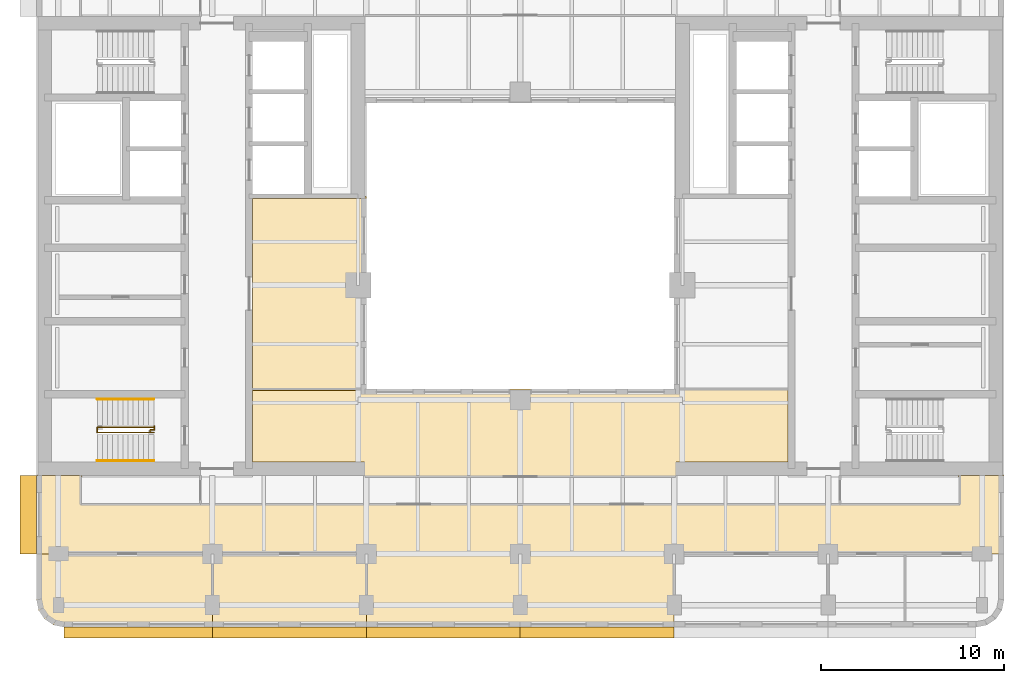
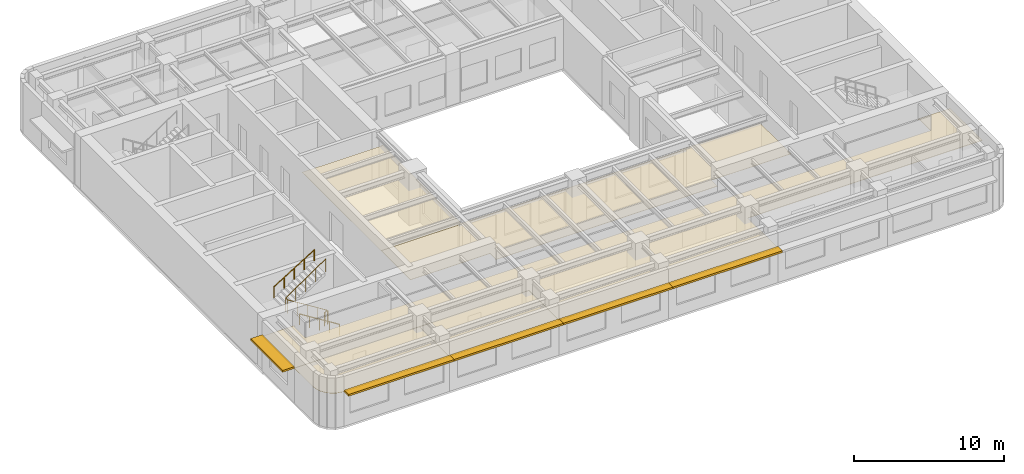
# One storey, part 9 of 11: 5 coverings, 5 shading devices, 4 railings.
"""IFC4 building model written with IfcOpenShell, lengths in metres."""

from ifc_helpers import new_model, si_unit, direction, frame, origin, origin_2d, place, context, subcontext, project, spatial, polyline, rectangle, circle, outline, extrude, material, layer, layer_set, type_object, element, save


model = new_model("IFC4")

# Units and contexts
model_context = context("Model", 3, precision=1e-05, world=origin(), true_north=direction((0.0, 1.0)))
body_context = subcontext(model_context, "Body", "Model", "MODEL_VIEW")
ifc_project = project(units=[si_unit("LENGTHUNIT", "METRE"), si_unit("AREAUNIT", "SQUARE_METRE"), si_unit("VOLUMEUNIT", "CUBIC_METRE"), si_unit("PLANEANGLEUNIT", "RADIAN"), si_unit("MASSUNIT", "GRAM", prefix="KILO")], contexts=[model_context])

# Site, building, storey
site_placement = place(None, origin())
site = spatial("IfcSite", under=ifc_project, at=site_placement, CompositionType="ELEMENT")
building_placement = place(site_placement, origin())
building = spatial("IfcBuilding", under=site, at=building_placement, Name="Claustro Exchange Tower", CompositionType="ELEMENT")
storey_placement = place(building_placement, frame((0.0, 0.0, 181.800048828125)))
storey = spatial("IfcBuildingStorey", under=building, at=storey_placement, Name="L41", CompositionType="ELEMENT", Elevation=181.800048828125)

# Coverings
ifc_material_1 = material(Name="Perforated metal ceiling tiles", Category="steel")
ifc_layer_1 = layer(ifc_material_1, 0.030029296875)
ifc_layer_set_1 = layer_set([ifc_layer_1], Name="Perforated metal ceiling tiles")
covering_type_1 = type_object("IfcCoveringType", Name="CL1 suspended metal ceiling", PredefinedType="CEILING", material=ifc_layer_set_1)
covering_1_placement = place(storey_placement, frame((0.0, 0.0, 2.800048828125)))
element("IfcCovering", 1, at=covering_1_placement, inside=storey, type_object=covering_type_1, Name="Ceiling CL1 L41-06", PredefinedType="CEILING", context=body_context, shape_type="SweptSolid", body=[
    extrude(outline(polyline([(1.199951171875, 11.10009765625), (1.199951171875, 12.60009765625), (1.294921875, 12.60009765625), (1.294921875, 12.675048828125), (-1.125, 12.675048828125), (-1.125, 12.695068359375), (-1.199951171875, 12.695068359375), (-1.199951171875, 8.39990234375), (16.800048828125, 8.39990234375), (16.800048828125, 4.39990234375), (33.60009765625, 4.39990234375), (33.60009765625, 8.39990234375), (51.60009765625, 8.39990234375), (51.60009765625, 12.695068359375), (51.52490234375, 12.695068359375), (51.52490234375, 12.675048828125), (49.10498046875, 12.675048828125), (49.10498046875, 12.60009765625), (49.199951171875, 12.60009765625), (49.199951171875, 11.10009765625), (1.199951171875, 11.10009765625)])), origin(), (0.0, 0.0, 1.0), 0.02978515625),
])
ifc_material_2 = material(Name="Gypsum board ceiling", Category="gypsum board")
ifc_layer_2 = layer(ifc_material_2, 0.02490234375)
ifc_layer_set_2 = layer_set([ifc_layer_2], Name="Gypsum board ceiling")
covering_type_2 = type_object("IfcCoveringType", Name="CL2 plasterboard ceiling", PredefinedType="CEILING", material=ifc_layer_set_2)
covering_2_placement = place(storey_placement, frame((0.0, 0.0, 2.800048828125)))
element("IfcCovering", 2, at=covering_2_placement, inside=storey, type_object=covering_type_2, Name="Ceiling CL2 L41-01", PredefinedType="CEILING", context=body_context, shape_type="SweptSolid", body=[
    extrude(outline(polyline([(-1.085693359375, 5.325927734375), (-0.7607421875, 4.83935546875), (-0.27392578125, 4.51416015625), (0.300048828125, 4.39990234375), (8.39990234375, 4.39990234375), (8.39990234375, 8.39990234375), (-1.199951171875, 8.39990234375), (-1.199951171875, 5.89990234375), (-1.085693359375, 5.325927734375)])), origin(), (0.0, 0.0, 1.0), 0.02490234375),
])
covering_3_placement = place(storey_placement, frame((0.0, 0.0, 2.800048828125)))
element("IfcCovering", 3, at=covering_3_placement, inside=storey, type_object=covering_type_2, Name="Ceiling CL2 L41-02", PredefinedType="CEILING", context=body_context, shape_type="SweptSolid", body=[
    extrude(outline(polyline([(8.39990234375, 4.39990234375), (16.800048828125, 4.39990234375), (16.800048828125, 8.39990234375), (8.39990234375, 8.39990234375), (8.39990234375, 4.39990234375)])), origin(), (0.0, 0.0, 1.0), 0.02490234375),
])
covering_4_placement = place(storey_placement, frame((0.0, 0.0, 2.800048828125)))
element("IfcCovering", 4, at=covering_4_placement, inside=storey, type_object=covering_type_2, Name="Ceiling CL2 L41-10", PredefinedType="CEILING", context=body_context, shape_type="SweptSolid", body=[
    extrude(outline(polyline([(33.60009765625, 17.39990234375), (16.800048828125, 17.39990234375), (16.800048828125, 17.4951171875), (10.60009765625, 17.4951171875), (10.60009765625, 13.405029296875), (16.705078125, 13.405029296875), (16.705078125, 12.60009765625), (33.695068359375, 12.60009765625), (33.695068359375, 13.405029296875), (39.800048828125, 13.405029296875), (39.800048828125, 17.4951171875), (33.60009765625, 17.4951171875), (33.60009765625, 17.39990234375)])), origin(), (0.0, 0.0, 1.0), 0.02490234375),
])
covering_5_placement = place(storey_placement, frame((0.0, 0.0, 2.800048828125)))
element("IfcCovering", 5, at=covering_5_placement, inside=storey, type_object=covering_type_2, Name="Ceiling CL2 L41-11", PredefinedType="CEILING", context=body_context, shape_type="SweptSolid", body=[
    extrude(outline(polyline([(10.60009765625, 27.800048828125), (10.60009765625, 17.304931640625), (16.800048828125, 17.304931640625), (16.800048828125, 27.89501953125), (16.72509765625, 27.89501953125), (16.72509765625, 27.800048828125), (10.60009765625, 27.800048828125)])), origin(), (0.0, 0.0, 1.0), 0.02490234375),
])

# Railings
ifc_material_3 = material(Name="Steel balustrade, painted", Category="steel")
railing_type_1 = type_object("IfcRailingType", Name="GR2 1100 steel stair guard", PredefinedType="GUARDRAIL", material=ifc_material_3)
railing_1_placement = place(storey_placement, frame((5.199951171875, 15.02490234375, 0.175048828125)))
element("IfcRailing", 6, at=railing_1_placement, inside=storey, type_object=railing_type_1, Name="Stair well guard GR2 stair STWA L41", PredefinedType="GUARDRAIL", context=body_context, shape_type="SweptSolid", body=[
    extrude(circle(Radius=0.02392578125, at=origin_2d()), frame((0.0, 0.0, 1.076171875), z_axis=(-0.848009633417, 0.0, 0.529980812513), x_axis=(0.0, -1.0, 0.0)), (0.0, 0.0, 1.0), 3.6318359375),
    extrude(circle(Radius=0.02392578125, at=origin_2d()), frame((-3.079833984375, 0.0, 3.0009765625), z_axis=(0.0, 1.0, 0.0), x_axis=(-1.0, 0.0, 0.0)), (0.0, 0.0, 1.0), 0.275146484375),
    extrude(circle(Radius=0.02392578125, at=origin_2d()), frame((-3.079833984375, 0.275146484375, 3.0009765625), z_axis=(0.826201015165, 0.0, 0.563375436579), x_axis=(0.0, 1.0, 0.0)), (0.0, 0.0, 1.0), 3.727783203125),
    extrude(circle(Radius=0.02099609375, at=origin_2d()), origin(), (0.0, 0.0, 1.0), 1.052001953125),
    extrude(circle(Radius=0.02099609375, at=origin_2d()), frame((-0.77001953125, 0.0, 0.481201171875)), (0.0, 0.0, 1.0), 1.052001953125),
    extrude(circle(Radius=0.02099609375, at=origin_2d()), frame((-1.5400390625, 0.0, 0.96240234375)), (0.0, 0.0, 1.0), 1.052001953125),
    extrude(circle(Radius=0.02099609375, at=origin_2d()), frame((-2.309814453125, 0.0, 1.443603515625)), (0.0, 0.0, 1.0), 1.052001953125),
    extrude(circle(Radius=0.02099609375, at=origin_2d()), frame((-3.079833984375, 0.0, 1.9248046875)), (0.0, 0.0, 1.0), 1.052001953125),
    extrude(circle(Radius=0.02099609375, at=origin_2d()), frame((-3.079833984375, 0.275146484375, 1.9248046875)), (0.0, 0.0, 1.0), 1.052001953125),
    extrude(circle(Radius=0.02099609375, at=origin_2d()), frame((-2.309814453125, 0.275146484375, 2.44970703125)), (0.0, 0.0, 1.0), 1.052001953125),
    extrude(circle(Radius=0.02099609375, at=origin_2d()), frame((-1.5400390625, 0.275146484375, 2.974853515625)), (0.0, 0.0, 1.0), 1.052001953125),
    extrude(circle(Radius=0.02099609375, at=origin_2d()), frame((-0.77001953125, 0.275146484375, 3.5)), (0.0, 0.0, 1.0), 1.052001953125),
    extrude(circle(Radius=0.02099609375, at=origin_2d()), frame((0.0, 0.275146484375, 4.02490234375)), (0.0, 0.0, 1.0), 1.052001953125),
])
railing_2_placement = place(storey_placement, frame((5.0, 15.094970703125, 0.0)))
element("IfcRailing", 7, at=railing_2_placement, inside=storey, type_object=railing_type_1, Name="Stair guard GR2 STWA L41", PredefinedType="GUARDRAIL", context=body_context, shape_type="SweptSolid", body=[
    extrude(circle(Radius=0.02392578125, at=origin_2d()), frame((0.0, 0.0, 1.076171875), z_axis=(0.0, 1.0, 0.0), x_axis=(-1.0, 0.0, 0.0)), (0.0, 0.0, 1.0), 0.067626953125),
    extrude(circle(Radius=0.02392578125, at=origin_2d()), frame((0.0, 0.067626953125, 1.076171875), z_axis=(1.0, 0.0, 0.0), x_axis=(0.0, 1.0, 0.0)), (0.0, 0.0, 1.0), 0.22509765625),
    extrude(circle(Radius=0.02392578125, at=origin_2d()), frame((0.22509765625, 0.067626953125, 1.076171875), z_axis=(0.0, 1.0, 0.0), x_axis=(-1.0, 0.0, 0.0)), (0.0, 0.0, 1.0), 0.21728515625),
    extrude(circle(Radius=0.02099609375, at=origin_2d()), origin(), (0.0, 0.0, 1.0), 1.052001953125),
    extrude(circle(Radius=0.02099609375, at=origin_2d()), frame((0.0, 0.067626953125, 0.0)), (0.0, 0.0, 1.0), 1.052001953125),
    extrude(circle(Radius=0.02099609375, at=origin_2d()), frame((0.22509765625, 0.067626953125, 0.0)), (0.0, 0.0, 1.0), 1.052001953125),
    extrude(circle(Radius=0.02099609375, at=origin_2d()), frame((0.22509765625, 0.284912109375, 0.0)), (0.0, 0.0, 1.0), 1.052001953125),
])
ifc_material_4 = material(Name="Stainless steel tube", Category="steel")
railing_type_2 = type_object("IfcRailingType", Name="HR1 900 stair handrail", PredefinedType="HANDRAIL", material=ifc_material_4)
railing_3_placement = place(storey_placement, frame((5.199951171875, 13.485107421875, 0.175048828125)))
element("IfcRailing", 8, at=railing_3_placement, inside=storey, type_object=railing_type_2, Name="Handrail HR1 stair STWA L41", PredefinedType="HANDRAIL", context=body_context, shape_type="SweptSolid", body=[
    extrude(circle(Radius=0.02392578125, at=origin_2d()), frame((0.0, 0.0, 0.8759765625), z_axis=(-0.848009633417, 0.0, 0.529980812513), x_axis=(0.0, -1.0, 0.0)), (0.0, 0.0, 1.0), 3.6318359375),
    extrude(circle(Radius=0.02099609375, at=origin_2d()), origin(), (0.0, 0.0, 1.0), 0.851806640625),
    extrude(circle(Radius=0.02099609375, at=origin_2d()), frame((-0.77001953125, 0.0, 0.481201171875)), (0.0, 0.0, 1.0), 0.851806640625),
    extrude(circle(Radius=0.02099609375, at=origin_2d()), frame((-1.5400390625, 0.0, 0.96240234375)), (0.0, 0.0, 1.0), 0.851806640625),
    extrude(circle(Radius=0.02099609375, at=origin_2d()), frame((-2.309814453125, 0.0, 1.443603515625)), (0.0, 0.0, 1.0), 0.851806640625),
    extrude(circle(Radius=0.02099609375, at=origin_2d()), frame((-3.079833984375, 0.0, 1.9248046875)), (0.0, 0.0, 1.0), 0.851806640625),
])
railing_4_placement = place(storey_placement, frame((2.1201171875, 16.840087890625, 2.27490234375)))
element("IfcRailing", 9, at=railing_4_placement, inside=storey, type_object=railing_type_2, Name="Handrail HR1 stair STWA L41", PredefinedType="HANDRAIL", context=body_context, shape_type="SweptSolid", body=[
    extrude(circle(Radius=0.02392578125, at=origin_2d()), frame((0.0, 0.0, 0.8759765625), z_axis=(0.847979421464, 0.0, 0.530029150871), x_axis=(0.0, 1.0, 0.0)), (0.0, 0.0, 1.0), 3.632080078125),
    extrude(circle(Radius=0.02099609375, at=origin_2d()), origin(), (0.0, 0.0, 1.0), 0.851806640625),
    extrude(circle(Radius=0.02099609375, at=origin_2d()), frame((0.77001953125, 0.0, 0.481201171875)), (0.0, 0.0, 1.0), 0.851806640625),
    extrude(circle(Radius=0.02099609375, at=origin_2d()), frame((1.5400390625, 0.0, 0.96240234375)), (0.0, 0.0, 1.0), 0.851806640625),
    extrude(circle(Radius=0.02099609375, at=origin_2d()), frame((2.309814453125, 0.0, 1.44384765625)), (0.0, 0.0, 1.0), 0.851806640625),
    extrude(circle(Radius=0.02099609375, at=origin_2d()), frame((3.079833984375, 0.0, 1.925048828125)), (0.0, 0.0, 1.0), 0.851806640625),
])

# Shading devices
ifc_material_5 = material(Name="Concrete HA-40 (C40/50), precast, white cement, acid-etched", Category="concrete")
ifc_layer_3 = layer(ifc_material_5, 0.14990234375)
ifc_layer_set_3 = layer_set([ifc_layer_3], Name="Concrete HA-40 (C40/50), precast, white cement, acid-etched")
shading_device_type_1 = type_object("IfcShadingDeviceType", Name="SS1 600 precast concrete SUNSHADE", PredefinedType="SHUTTER", material=ifc_layer_set_3)
for number, where, z_axis, x_axis, name in (
    (10, (29.39990234375, 4.10009765625, 2.800048828125), (0.0, 0.0, 1.0), (-1.0, 0.0, 0.0), "Precast SUNSHADE SS1 L41"),
    (11, (21.0, 4.10009765625, 2.800048828125), (0.0, 0.0, 1.0), (-1.0, 0.0, 0.0), "Precast SUNSHADE SS1 L41"),
    (12, (12.60009765625, 4.10009765625, 2.800048828125), (0.0, 0.0, 1.0), (-1.0, 0.0, 0.0), "Precast SUNSHADE SS1 L41"),
):
    element("IfcShadingDevice", number, at=place(storey_placement, frame(where, z_axis=z_axis, x_axis=x_axis)), inside=storey, type_object=shading_device_type_1, Name=name, PredefinedType="SHUTTER", context=body_context, shape_type="SweptSolid", body=[
        extrude(rectangle(XDim=8.39990234375, YDim=0.60009765625, at=origin_2d()), origin(), (0.0, 0.0, 1.0), 0.14990234375),
    ])
shading_device_1_placement = place(storey_placement, frame((4.357421875, 4.10009765625, 2.800048828125), z_axis=(0.0, 0.0, 1.0), x_axis=(-1.0, 0.0, 0.0)))
element("IfcShadingDevice", 13, at=shading_device_1_placement, inside=storey, type_object=shading_device_type_1, Name="Precast SUNSHADE SS1 L41", PredefinedType="SHUTTER", context=body_context, shape_type="SweptSolid", body=[
    extrude(rectangle(XDim=8.085205078125, YDim=0.60009765625, at=origin_2d()), origin(), (0.0, 0.0, 1.0), 0.14990234375),
])
ifc_material_6 = material(Name="Concrete HA-40 (C40/50), precast, white cement, acid-etched", Category="concrete")
ifc_layer_4 = layer(ifc_material_6, 0.14990234375)
ifc_layer_set_4 = layer_set([ifc_layer_4], Name="Concrete HA-40 (C40/50), precast, white cement, acid-etched")
shading_device_type_2 = type_object("IfcShadingDeviceType", Name="SS2 900 precast concrete SUNSHADE", PredefinedType="SHUTTER", material=ifc_layer_set_4)
shading_device_2_placement = place(storey_placement, frame((-1.64990234375, 10.53759765625, 2.800048828125), z_axis=(0.0, 0.0, 1.0), x_axis=(0.0, 1.0, 0.0)))
element("IfcShadingDevice", 14, at=shading_device_2_placement, inside=storey, type_object=shading_device_type_2, Name="Precast SUNSHADE SS2 L41", PredefinedType="SHUTTER", context=body_context, shape_type="SweptSolid", body=[
    extrude(rectangle(XDim=4.27490234375, YDim=0.89990234375, at=origin_2d()), origin(), (0.0, 0.0, 1.0), 0.14990234375),
])

save(model, "model.ifc")
